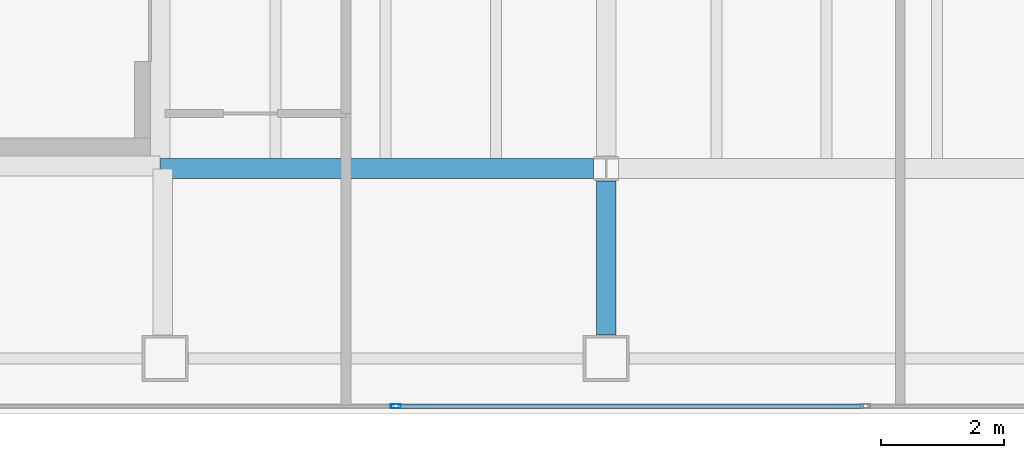
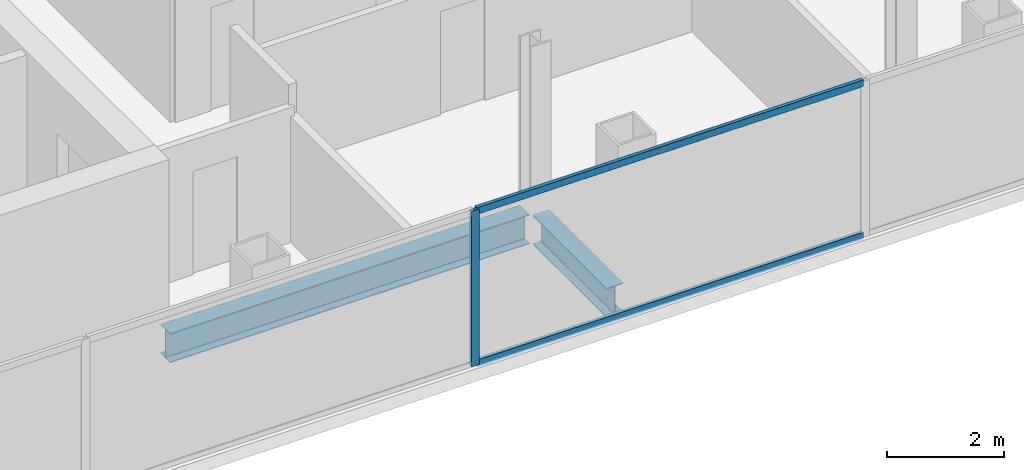
# One storey, part 4 of 23: 3 members, 2 beams, 1 element without a shape of its own.
"""IFC4 building model written with IfcOpenShell, lengths in metres."""

from ifc_helpers import new_model, si_unit, direction, frame, origin, origin_2d, place, context, subcontext, project, spatial, hollow_rectangle, i_section, extrude, material, material_profile, profile_set, type_object, element, aggregate, save


model = new_model("IFC4")

# Units and contexts
model_context = context("Model", 3, precision=1e-05, world=origin(), true_north=direction((0.0, 1.0)))
body_context = subcontext(model_context, "Body", "Model", "MODEL_VIEW")
ifc_project = project(units=[si_unit("LENGTHUNIT", "METRE"), si_unit("AREAUNIT", "SQUARE_METRE"), si_unit("VOLUMEUNIT", "CUBIC_METRE"), si_unit("PLANEANGLEUNIT", "RADIAN"), si_unit("MASSUNIT", "GRAM", prefix="KILO")], contexts=[model_context])

# Site, building, storey
site_placement = place(None, origin())
site = spatial("IfcSite", under=ifc_project, at=site_placement, CompositionType="ELEMENT")
building_placement = place(site_placement, origin())
building = spatial("IfcBuilding", under=site, at=building_placement, Name="Cobrela Telecom Tower", CompositionType="ELEMENT")
storey_placement = place(building_placement, frame((0.0, 0.0, 225.75)))
storey = spatial("IfcBuildingStorey", under=building, at=storey_placement, Name="L58", CompositionType="ELEMENT", Elevation=225.75)

# Beams
ifc_material_1 = material(Name="Steel ASTM A992 Grade 50", Category="steel")
ifc_material_profile_1 = material_profile(ifc_material_1, i_section(OverallWidth=0.324951171875, OverallDepth=0.612060546875, WebThickness=0.0126953125, FlangeThickness=0.01904296875, FilletRadius=0.014892578125, at=origin_2d()), Name="W24X104")
ifc_profile_set_1 = profile_set([ifc_material_profile_1], Name="Steel ASTM A992 Grade 50")
beam_type = type_object("IfcBeamType", Name="BM-GIRD-07", PredefinedType="USERDEFINED", material=ifc_profile_set_1)
beam_1_placement = place(storey_placement, frame((14.324951171875, 7.199951171875, -0.56591796875), z_axis=(1.0, 0.0, 0.0), x_axis=(0.0, 1.0, 0.0)))
element("IfcBeam", 1, at=beam_1_placement, inside=storey, type_object=beam_type, Name="L58 Primary Girder X07", ObjectType="GIRDER", PredefinedType="USERDEFINED", context=body_context, shape_type="SweptSolid", body=[
    extrude(i_section(OverallWidth=0.324951171875, OverallDepth=0.612060546875, WebThickness=0.0126953125, FlangeThickness=0.01904296875, FilletRadius=0.014892578125, at=origin_2d()), origin(), (0.0, 0.0, 1.0), 7.070556640625),
])
beam_2_placement = place(storey_placement, frame((21.60009765625, 4.47998046875, -0.56591796875), z_axis=(0.0, 1.0, 0.0), x_axis=(-1.0, 0.0, 0.0)))
element("IfcBeam", 2, at=beam_2_placement, inside=storey, type_object=beam_type, Name="L58 Primary Girder Y32", ObjectType="GIRDER", PredefinedType="USERDEFINED", context=body_context, shape_type="SweptSolid", body=[
    extrude(i_section(OverallWidth=0.324951171875, OverallDepth=0.612060546875, WebThickness=0.0126953125, FlangeThickness=0.01904296875, FilletRadius=0.014892578125, at=origin_2d()), origin(), (0.0, 0.0, 1.0), 2.515625),
])

# Curtain wall, members
ifc_material_2 = material(Name="Anodized Bronze Aluminium 6063-T6", Category="aluminium")
curtain_wall_type = type_object("IfcCurtainWallType", Name="CW-SYS-OFF-LO", PredefinedType="USERDEFINED", material=ifc_material_2)
curtain_wall_placement = place(storey_placement, origin())
curtain_wall = element("IfcCurtainWall", 3, at=curtain_wall_placement, inside=storey, type_object=curtain_wall_type, Name="L58 Unitised Bronze Curtain Wall 17", ObjectType="UNITISED CURTAIN WALL", PredefinedType="USERDEFINED")
ifc_material_profile_2 = material_profile(ifc_material_2, hollow_rectangle(XDim=0.070068359375, YDim=0.159912109375, WallThickness=0.00390625, at=origin_2d()), Name="ALU 70x160x4")
ifc_profile_set_2 = profile_set([ifc_material_profile_2], Name="Anodized Bronze Aluminium 6063-T6")
member_type_1 = type_object("IfcMemberType", Name="CW-SYS-OFF-LO-MUL", PredefinedType="MULLION", material=ifc_profile_set_2)
member_1_placement = place(storey_placement, frame((18.166015625, 3.320068359375, 0.0), z_axis=(0.0, 0.0, 1.0), x_axis=(0.0, -1.0, 0.0)))
member_1 = element("IfcMember", 4, at=member_1_placement, type_object=member_type_1, Name="CW-OFF-LO mullion 4", PredefinedType="MULLION", context=body_context, shape_type="SweptSolid", body=[
    extrude(hollow_rectangle(XDim=0.070068359375, YDim=0.159912109375, WallThickness=0.00390625, at=origin_2d()), origin(), (0.0, 0.0, 1.0), 3.239990234375),
])
ifc_material_profile_3 = material_profile(ifc_material_2, hollow_rectangle(XDim=0.070068359375, YDim=0.139892578125, WallThickness=0.00390625, at=origin_2d()), Name="ALU 70x140x4")
ifc_profile_set_3 = profile_set([ifc_material_profile_3], Name="Anodized Bronze Aluminium 6063-T6")
member_type_2 = type_object("IfcMemberType", Name="CW-SYS-OFF-LO-TRN", PredefinedType="USERDEFINED", material=ifc_profile_set_3)
member_2_placement = place(storey_placement, frame((25.799072265625, 3.320068359375, 0.034912109375), z_axis=(-1.0, 0.0, 0.0), x_axis=(0.0, -1.0, 0.0)))
member_2 = element("IfcMember", 5, at=member_2_placement, type_object=member_type_2, Name="CW-OFF-LO transom 3.1", ObjectType="TRANSOM", PredefinedType="USERDEFINED", context=body_context, shape_type="SweptSolid", body=[
    extrude(hollow_rectangle(XDim=0.070068359375, YDim=0.139892578125, WallThickness=0.00390625, at=origin_2d()), origin(), (0.0, 0.0, 1.0), 7.59814453125),
])
member_3_placement = place(storey_placement, frame((25.799072265625, 3.320068359375, 3.205078125), z_axis=(-1.0, 0.0, 0.0), x_axis=(0.0, -1.0, 0.0)))
member_3 = element("IfcMember", 6, at=member_3_placement, type_object=member_type_2, Name="CW-OFF-LO transom 3.2", ObjectType="TRANSOM", PredefinedType="USERDEFINED", context=body_context, shape_type="SweptSolid", body=[
    extrude(hollow_rectangle(XDim=0.070068359375, YDim=0.139892578125, WallThickness=0.00390625, at=origin_2d()), origin(), (0.0, 0.0, 1.0), 7.59814453125),
])
aggregate(curtain_wall, [member_1, member_2, member_3])

save(model, "model.ifc")
